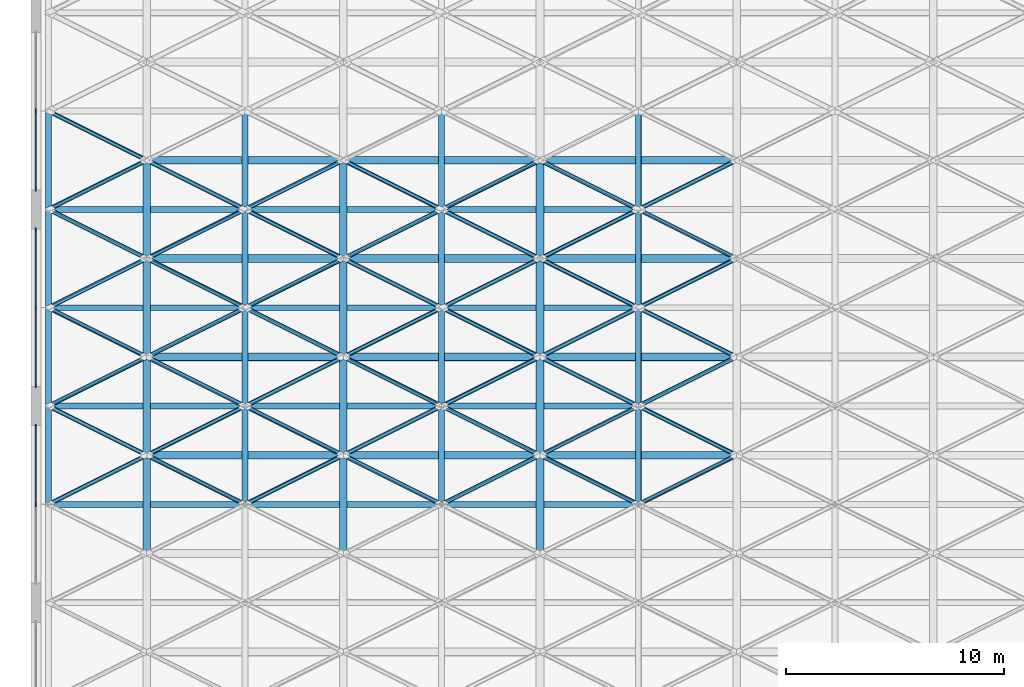
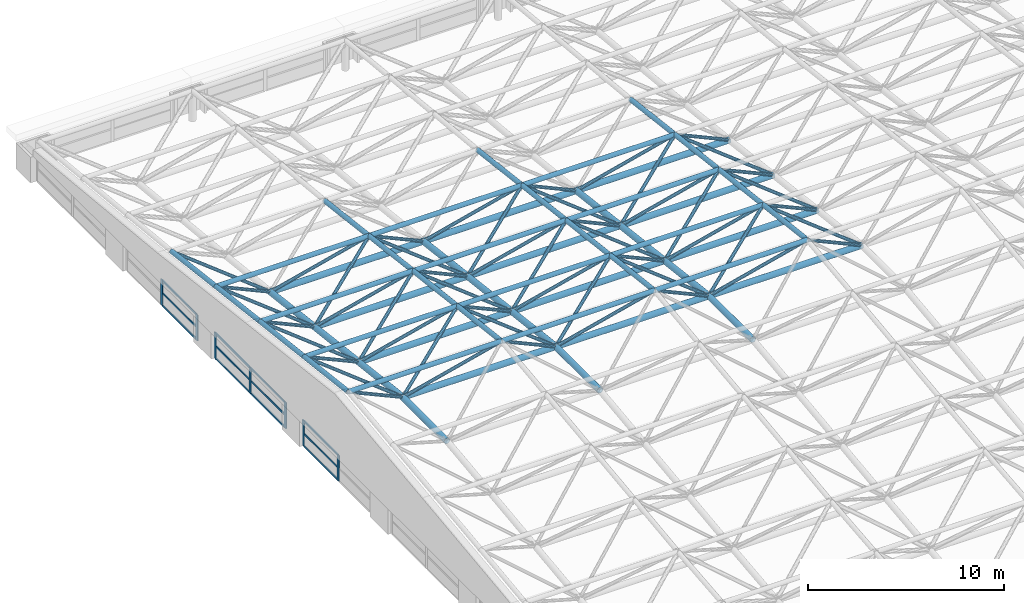
# One storey, part 8 of 53: 121 members, 3 elements without a shape of their own.
"""IFC4 building model written with IfcOpenShell, lengths in metres."""

import ifcopenshell
import ifcopenshell.guid

model = None  # the IFC model being written
_history = None  # IfcOwnerHistory: only IFC2X3 demands one
_inside = {}  # id of a spatial element -> (the spatial element, [elements in it])
_under = {}  # id of a project, library or spatial element -> (it, [spatial elements below it])
_declared = {}  # id of a project -> (the project, [libraries it declares])
_typed = {}  # id of a type object -> (the type object, [elements of that type])
_made_of = {}  # id of a material, layer set ... -> (it, [elements and type objects made of it])


def new_model(schema):
    """Start an empty IFC model of exactly this schema.

    Asked for "IFC4X3", IfcOpenShell would pick the latest addendum, in which some entities
    have other attributes; the version numbers below select the first issue.
    IFC2X3 requires an IfcOwnerHistory on every rooted entity: one is made here for all.
    """
    global model, _history
    if schema == "IFC4X3":
        model = ifcopenshell.file(schema_version=(4, 3, 0, 0))
    else:
        model = ifcopenshell.file(schema=schema)
    _inside.clear()
    _under.clear()
    _declared.clear()
    _typed.clear()
    _made_of.clear()
    _history = None
    if model.schema == "IFC2X3":
        org = make("IfcOrganization", Name="unknown")
        user = make(
            "IfcPersonAndOrganization",
            ThePerson=make("IfcPerson", FamilyName="unknown"),
            TheOrganization=org,
        )
        app = make(
            "IfcApplication",
            ApplicationDeveloper=org,
            Version="unknown",
            ApplicationFullName="unknown",
            ApplicationIdentifier="unknown",
        )
        _history = make(
            "IfcOwnerHistory",
            OwningUser=user,
            OwningApplication=app,
            ChangeAction="ADDED",
            CreationDate=0,
        )
    return model


def make(cls, **values):
    """One entity of the class cls with the attributes given. An attribute that is None is left unset."""
    return model.create_entity(
        cls, **{name: value for name, value in values.items() if value is not None}
    )


def rooted(cls, **values):
    """An entity with a GlobalId (a new one), such as an element, a storey or a relation."""
    return make(cls, GlobalId=ifcopenshell.guid.new(), OwnerHistory=_history, **values)


def si_unit(unit_type, name, prefix=None):
    """IfcSIUnit, for example si_unit("LENGTHUNIT", "METRE", prefix="MILLI")."""
    return make("IfcSIUnit", UnitType=unit_type, Prefix=prefix, Name=name)


def assignment(units):
    """IfcUnitAssignment: the units of a project."""
    return None if units is None else make("IfcUnitAssignment", Units=units)


def point(xyz):
    """IfcCartesianPoint."""
    return None if xyz is None else make("IfcCartesianPoint", Coordinates=xyz)


def direction(xyz):
    """IfcDirection."""
    return None if xyz is None else make("IfcDirection", DirectionRatios=xyz)


def frame(location, z_axis=None, x_axis=None):
    """IfcAxis2Placement3D, a coordinate frame: its origin and axes. An axis left out is left unset."""
    return make(
        "IfcAxis2Placement3D",
        Location=point(location),
        Axis=direction(z_axis),
        RefDirection=direction(x_axis),
    )


def frame_2d(location, x_axis=None):
    """IfcAxis2Placement2D, a coordinate frame in the plane: its origin and x axis."""
    return make(
        "IfcAxis2Placement2D", Location=point(location), RefDirection=direction(x_axis)
    )


def origin():
    """The frame at (0, 0, 0) with its axes left unset."""
    return frame((0.0, 0.0, 0.0))


def origin_2d():
    """The frame at (0, 0) in the plane with its x axis left unset."""
    return frame_2d((0.0, 0.0))


def place(relative_to, where):
    """IfcLocalPlacement: puts the frame where relative to a parent placement (None: the world)."""
    return make(
        "IfcLocalPlacement", PlacementRelTo=relative_to, RelativePlacement=where
    )


def context(
    kind, dimensions, precision=None, world=None, true_north=None, identifier=None
):
    """IfcGeometricRepresentationContext, for example the 3D "Model" context."""
    return make(
        "IfcGeometricRepresentationContext",
        ContextIdentifier=identifier,
        ContextType=kind,
        CoordinateSpaceDimension=dimensions,
        Precision=precision,
        WorldCoordinateSystem=world,
        TrueNorth=true_north,
    )


def subcontext(parent, identifier, kind, view, scale=None):
    """IfcGeometricRepresentationSubContext, for example "Body" below "Model"."""
    return make(
        "IfcGeometricRepresentationSubContext",
        ContextIdentifier=identifier,
        ContextType=kind,
        ParentContext=parent,
        TargetScale=scale,
        TargetView=view,
    )


def project(units=None, contexts=None):
    """IfcProject with its units and contexts."""
    return rooted(
        "IfcProject",
        Name="project",
        RepresentationContexts=contexts,
        UnitsInContext=assignment(units),
    )


def spatial(cls, under=None, at=None, **own):
    """A site, building, storey or space (cls), placed at a placement, below another one or the project."""
    s = rooted(cls, ObjectPlacement=at, **own)
    if under is not None:
        _under.setdefault(under.id(), (under, []))[1].append(s)
    return s


def profile(cls, at=None, kind="AREA", **sizes):
    """A parametric profile (cls). Its sizes go by their IFC names, for example OverallWidth=200.0."""
    return make(cls, ProfileType=kind, Position=at, **sizes)


def rectangle(**sizes):
    """IfcRectangleProfileDef."""
    return profile("IfcRectangleProfileDef", **sizes)


def hollow_circle(**sizes):
    """IfcCircleHollowProfileDef."""
    return profile("IfcCircleHollowProfileDef", **sizes)


def extrude(swept, where, along, depth):
    """IfcExtrudedAreaSolid: the profile swept, set in the frame where, extruded along a direction by depth."""
    return make(
        "IfcExtrudedAreaSolid",
        SweptArea=swept,
        Position=where,
        ExtrudedDirection=direction(along),
        Depth=depth,
    )


def shape(context_of_items, identifier, shape_type, items):
    """IfcShapeRepresentation: the items that make up one representation, for example the "Body"."""
    return make(
        "IfcShapeRepresentation",
        ContextOfItems=context_of_items,
        RepresentationIdentifier=identifier,
        RepresentationType=shape_type,
        Items=items,
    )


def material(Name=None, Category=None):
    """IfcMaterial."""
    return make("IfcMaterial", Name=Name, Category=Category)


def material_profile(
    of_material, cross_section, Name=None, Category=None, Priority=None
):
    """IfcMaterialProfile: a cross section and its material."""
    return make(
        "IfcMaterialProfile",
        Name=Name,
        Material=of_material,
        Profile=cross_section,
        Priority=Priority,
        Category=Category,
    )


def profile_set(profiles, Name=None, composite=None):
    """IfcMaterialProfileSet."""
    return make(
        "IfcMaterialProfileSet",
        Name=Name,
        MaterialProfiles=profiles,
        CompositeProfile=composite,
    )


def made_of(thing, what):
    """Note that an element or type object is made of a material, layer set ...; save() writes the relation."""
    if what is not None:
        _made_of.setdefault(what.id(), (what, []))[1].append(thing)
    return thing


def type_object(cls, material=None, **own):
    """A type object (cls), such as IfcWallType, which elements share."""
    return made_of(rooted(cls, **own), material)


def element(
    cls,
    number,
    at=None,
    inside=None,
    cuts=None,
    type_object=None,
    material=None,
    context=None,
    identifier="Body",
    shape_type=None,
    held_by="IfcProductDefinitionShape",
    body=None,
    shapes=None,
    **own,
):
    """One element of the class cls, such as IfcWall. Its Tag is "e" and its number.

    at: its placement. inside: the storey or other place that contains it. cuts: it is an
    opening in that element (IfcRelVoidsElement). A single representation is given by context,
    identifier, shape_type and body (its items); several are given by shapes. held_by: the class
    of the entity that holds the representations. save() writes the other relations.
    """
    e = rooted(cls, Tag="e%d" % number, ObjectPlacement=at, **own)
    if body is not None:
        shapes = [shape(context, identifier, shape_type, body)]
    if shapes is not None:
        e.Representation = make(held_by, Representations=shapes)
    if inside is not None:
        _inside.setdefault(inside.id(), (inside, []))[1].append(e)
    if cuts is not None:
        rooted(
            "IfcRelVoidsElement", RelatingBuildingElement=cuts, RelatedOpeningElement=e
        )
    if type_object is not None:
        _typed.setdefault(type_object.id(), (type_object, []))[1].append(e)
    return made_of(e, material)


def aggregate(whole, parts):
    """IfcRelAggregates: a whole, such as a stair, and the parts it consists of."""
    return rooted("IfcRelAggregates", RelatingObject=whole, RelatedObjects=parts)


def save(model, path):
    """Write the relations noted so far, then the file.

    IfcRelAggregates (storeys below a building ...), IfcRelContainedInSpatialStructure (elements
    in a storey), IfcRelDefinesByType, IfcRelAssociatesMaterial and IfcRelDeclares: one each for
    every whole, place, type object, material and project.
    """
    for whole, parts in _under.values():
        aggregate(whole, parts)
    for where, things in _inside.values():
        rooted(
            "IfcRelContainedInSpatialStructure",
            RelatedElements=things,
            RelatingStructure=where,
        )
    for kind, things in _typed.values():
        rooted("IfcRelDefinesByType", RelatedObjects=things, RelatingType=kind)
    for what, things in _made_of.values():
        rooted("IfcRelAssociatesMaterial", RelatedObjects=things, RelatingMaterial=what)
    for by, libraries in _declared.values():
        rooted("IfcRelDeclares", RelatingContext=by, RelatedDefinitions=libraries)
    model.write(path)


model = new_model("IFC4")

# Units and contexts
model_context = context("Model", 3, precision=1e-05, world=origin(), true_north=direction((0.0, 1.0)))
body_context = subcontext(model_context, "Body", "Model", "MODEL_VIEW")
ifc_project = project(units=[si_unit("LENGTHUNIT", "METRE"), si_unit("AREAUNIT", "SQUARE_METRE"), si_unit("VOLUMEUNIT", "CUBIC_METRE"), si_unit("PLANEANGLEUNIT", "RADIAN"), si_unit("MASSUNIT", "GRAM", prefix="KILO")], contexts=[model_context])

# Site, building, storey
site_placement = place(None, origin())
site = spatial("IfcSite", under=ifc_project, at=site_placement, CompositionType="ELEMENT")
building_placement = place(site_placement, origin())
building = spatial("IfcBuilding", under=site, at=building_placement, Name="Aravalli Gate Trade Fair Centre", CompositionType="ELEMENT")
storey_placement = place(building_placement, frame((0.0, 0.0, 25.199951171875)))
storey = spatial("IfcBuildingStorey", under=building, at=storey_placement, Name="ROOF LEVEL 2", CompositionType="ELEMENT", Elevation=25.199951171875)

# Members
ifc_material_1 = material(Name="Steel E350", Category="steel")
ifc_material_profile_1 = material_profile(ifc_material_1, hollow_circle(Radius=0.096923828125, WallThickness=0.00634765625, at=origin_2d()), Name="CHS 193.7x6.3")
ifc_profile_set_1 = profile_set([ifc_material_profile_1], Name="Steel E350")
member_type_1 = type_object("IfcMemberType", Name="CHS 193.7x6.3", PredefinedType="BRACE", material=ifc_profile_set_1)
for number, where, z_axis, x_axis, name in (
    (1, (6.0, 77.5, 5.330078125), (0.74994242606, 0.37497121303, -0.544961417895), (-0.4472135955, 0.894427191, 0.0), "Space frame web diagonal D4A"),
    (2, (15.0, 77.5, 5.330078125), (0.74994242606, 0.37497121303, -0.544961417895), (-0.4472135955, 0.894427191, 0.0), "Space frame web diagonal D4A"),
    (3, (24.0, 77.5, 5.330078125), (0.74994242606, 0.37497121303, -0.544961417895), (-0.4472135955, 0.894427191, 0.0), "Space frame web diagonal D4A"),
    (4, (33.0, 77.5, 5.330078125), (0.74994242606, 0.37497121303, -0.544961417895), (-0.4472135955, 0.894427191, 0.0), "Space frame web diagonal D4A"),
    (5, (6.0, 82.0, 4.7900390625), (0.74994242606, 0.37497121303, -0.544961417895), (-0.4472135955, 0.894427191, 0.0), "Space frame web diagonal D4A"),
    (6, (15.0, 82.0, 4.7900390625), (0.74994242606, 0.37497121303, -0.544961417895), (-0.4472135955, 0.894427191, 0.0), "Space frame web diagonal D4A"),
    (7, (24.0, 82.0, 4.7900390625), (0.74994242606, 0.37497121303, -0.544961417895), (-0.4472135955, 0.894427191, 0.0), "Space frame web diagonal D4A"),
    (8, (33.0, 82.0, 4.7900390625), (0.74994242606, 0.37497121303, -0.544961417895), (-0.4472135955, 0.894427191, 0.0), "Space frame web diagonal D4A"),
    (9, (15.0, 77.5, 5.330078125), (-0.74994242606, 0.37497121303, -0.544961417895), (-0.4472135955, -0.894427191, 0.0), "Space frame web diagonal D4B"),
    (10, (24.0, 77.5, 5.330078125), (-0.74994242606, 0.37497121303, -0.544961417895), (-0.4472135955, -0.894427191, 0.0), "Space frame web diagonal D4B"),
    (11, (33.0, 77.5, 5.330078125), (-0.74994242606, 0.37497121303, -0.544961417895), (-0.4472135955, -0.894427191, 0.0), "Space frame web diagonal D4B"),
    (12, (15.0, 82.0, 4.7900390625), (-0.74994242606, 0.37497121303, -0.544961417895), (-0.4472135955, -0.894427191, 0.0), "Space frame web diagonal D4B"),
    (13, (24.0, 82.0, 4.7900390625), (-0.74994242606, 0.37497121303, -0.544961417895), (-0.4472135955, -0.894427191, 0.0), "Space frame web diagonal D4B"),
    (14, (33.0, 82.0, 4.7900390625), (-0.74994242606, 0.37497121303, -0.544961417895), (-0.4472135955, -0.894427191, 0.0), "Space frame web diagonal D4B"),
):
    element("IfcMember", number, at=place(storey_placement, frame(where, z_axis=z_axis, x_axis=x_axis)), inside=storey, type_object=member_type_1, Name=name, PredefinedType="BRACE", context=body_context, shape_type="SweptSolid", body=[
        extrude(hollow_circle(Radius=0.096923828125, WallThickness=0.00634765625, at=origin_2d()), origin(), (0.0, 0.0, 1.0), 6.00048828125),
    ])
for number, where, z_axis, x_axis, name in (
    (15, (6.0, 82.0, 4.7900390625), (0.786150117051, -0.393075058526, -0.476927658901), (0.4472135955, 0.894427191, 0.0), "Space frame web diagonal D4C"),
    (16, (15.0, 82.0, 4.7900390625), (0.786150117051, -0.393075058526, -0.476927658901), (0.4472135955, 0.894427191, 0.0), "Space frame web diagonal D4C"),
    (17, (24.0, 82.0, 4.7900390625), (0.786150117051, -0.393075058526, -0.476927658901), (0.4472135955, 0.894427191, 0.0), "Space frame web diagonal D4C"),
    (18, (33.0, 82.0, 4.7900390625), (0.786150117051, -0.393075058526, -0.476927658901), (0.4472135955, 0.894427191, 0.0), "Space frame web diagonal D4C"),
    (19, (6.0, 86.5, 4.25), (0.786150117051, -0.393075058526, -0.476927658901), (0.4472135955, 0.894427191, 0.0), "Space frame web diagonal D4C"),
    (20, (15.0, 86.5, 4.25), (0.786150117051, -0.393075058526, -0.476927658901), (0.4472135955, 0.894427191, 0.0), "Space frame web diagonal D4C"),
    (21, (24.0, 86.5, 4.25), (0.786150117051, -0.393075058526, -0.476927658901), (0.4472135955, 0.894427191, 0.0), "Space frame web diagonal D4C"),
    (22, (33.0, 86.5, 4.25), (0.786150117051, -0.393075058526, -0.476927658901), (0.4472135955, 0.894427191, 0.0), "Space frame web diagonal D4C"),
    (23, (15.0, 82.0, 4.7900390625), (-0.786150117051, -0.393075058526, -0.476927658901), (0.4472135955, -0.894427191, 0.0), "Space frame web diagonal D4D"),
    (24, (24.0, 82.0, 4.7900390625), (-0.786150117051, -0.393075058526, -0.476927658901), (0.4472135955, -0.894427191, 0.0), "Space frame web diagonal D4D"),
    (25, (33.0, 82.0, 4.7900390625), (-0.786150117051, -0.393075058526, -0.476927658901), (0.4472135955, -0.894427191, 0.0), "Space frame web diagonal D4D"),
    (26, (15.0, 86.5, 4.25), (-0.786150117051, -0.393075058526, -0.476927658901), (0.4472135955, -0.894427191, 0.0), "Space frame web diagonal D4D"),
    (27, (24.0, 86.5, 4.25), (-0.786150117051, -0.393075058526, -0.476927658901), (0.4472135955, -0.894427191, 0.0), "Space frame web diagonal D4D"),
    (28, (33.0, 86.5, 4.25), (-0.786150117051, -0.393075058526, -0.476927658901), (0.4472135955, -0.894427191, 0.0), "Space frame web diagonal D4D"),
):
    element("IfcMember", number, at=place(storey_placement, frame(where, z_axis=z_axis, x_axis=x_axis)), inside=storey, type_object=member_type_1, Name=name, PredefinedType="BRACE", context=body_context, shape_type="SweptSolid", body=[
        extrude(hollow_circle(Radius=0.096923828125, WallThickness=0.00634765625, at=origin_2d()), origin(), (0.0, 0.0, 1.0), 5.72412109375),
    ])
for number, where, z_axis, x_axis, name in (
    (29, (6.0, 86.5, 4.25), (0.749609832162, 0.374804916081, -0.545533110277), (-0.4472135955, 0.894427191, 0.0), "Space frame web diagonal D5A"),
    (30, (15.0, 86.5, 4.25), (0.749609832162, 0.374804916081, -0.545533110277), (-0.4472135955, 0.894427191, 0.0), "Space frame web diagonal D5A"),
    (31, (24.0, 86.5, 4.25), (0.749609832162, 0.374804916081, -0.545533110277), (-0.4472135955, 0.894427191, 0.0), "Space frame web diagonal D5A"),
    (32, (33.0, 86.5, 4.25), (0.749609832162, 0.374804916081, -0.545533110277), (-0.4472135955, 0.894427191, 0.0), "Space frame web diagonal D5A"),
    (33, (6.0, 91.0, 3.699951171875), (0.749609832162, 0.374804916081, -0.545533110277), (-0.4472135955, 0.894427191, 0.0), "Space frame web diagonal D5A"),
    (34, (15.0, 91.0, 3.699951171875), (0.749609832162, 0.374804916081, -0.545533110277), (-0.4472135955, 0.894427191, 0.0), "Space frame web diagonal D5A"),
    (35, (24.0, 91.0, 3.699951171875), (0.749609832162, 0.374804916081, -0.545533110277), (-0.4472135955, 0.894427191, 0.0), "Space frame web diagonal D5A"),
    (36, (33.0, 91.0, 3.699951171875), (0.749609832162, 0.374804916081, -0.545533110277), (-0.4472135955, 0.894427191, 0.0), "Space frame web diagonal D5A"),
    (37, (15.0, 86.5, 4.25), (-0.749609832162, 0.374804916081, -0.545533110277), (-0.4472135955, -0.894427191, 0.0), "Space frame web diagonal D5B"),
    (38, (24.0, 86.5, 4.25), (-0.749609832162, 0.374804916081, -0.545533110277), (-0.4472135955, -0.894427191, 0.0), "Space frame web diagonal D5B"),
    (39, (33.0, 86.5, 4.25), (-0.749609832162, 0.374804916081, -0.545533110277), (-0.4472135955, -0.894427191, 0.0), "Space frame web diagonal D5B"),
    (40, (15.0, 91.0, 3.699951171875), (-0.749609832162, 0.374804916081, -0.545533110277), (-0.4472135955, -0.894427191, 0.0), "Space frame web diagonal D5B"),
    (41, (24.0, 91.0, 3.699951171875), (-0.749609832162, 0.374804916081, -0.545533110277), (-0.4472135955, -0.894427191, 0.0), "Space frame web diagonal D5B"),
    (42, (33.0, 91.0, 3.699951171875), (-0.749609832162, 0.374804916081, -0.545533110277), (-0.4472135955, -0.894427191, 0.0), "Space frame web diagonal D5B"),
):
    element("IfcMember", number, at=place(storey_placement, frame(where, z_axis=z_axis, x_axis=x_axis)), inside=storey, type_object=member_type_1, Name=name, PredefinedType="BRACE", context=body_context, shape_type="SweptSolid", body=[
        extrude(hollow_circle(Radius=0.096923828125, WallThickness=0.00634765625, at=origin_2d()), origin(), (0.0, 0.0, 1.0), 6.003173828125),
    ])
for number, where, z_axis, x_axis, name in (
    (43, (6.0, 91.0, 3.699951171875), (0.786485839543, -0.393242919772, -0.476235267749), (0.4472135955, 0.894427191, 0.0), "Space frame web diagonal D5C"),
    (44, (15.0, 91.0, 3.699951171875), (0.786485839543, -0.393242919772, -0.476235267749), (0.4472135955, 0.894427191, 0.0), "Space frame web diagonal D5C"),
    (45, (24.0, 91.0, 3.699951171875), (0.786485839543, -0.393242919772, -0.476235267749), (0.4472135955, 0.894427191, 0.0), "Space frame web diagonal D5C"),
    (46, (33.0, 91.0, 3.699951171875), (0.786485839543, -0.393242919772, -0.476235267749), (0.4472135955, 0.894427191, 0.0), "Space frame web diagonal D5C"),
    (47, (6.0, 95.5, 3.150146484375), (0.786469857322, -0.393234928661, -0.476268258867), (0.4472135955, 0.894427191, 0.0), "Space frame web diagonal D5C"),
    (48, (15.0, 91.0, 3.699951171875), (-0.786485839543, -0.393242919772, -0.476235267749), (0.4472135955, -0.894427191, 0.0), "Space frame web diagonal D5D"),
    (49, (24.0, 91.0, 3.699951171875), (-0.786485839543, -0.393242919772, -0.476235267749), (0.4472135955, -0.894427191, 0.0), "Space frame web diagonal D5D"),
    (50, (33.0, 91.0, 3.699951171875), (-0.786485839543, -0.393242919772, -0.476235267749), (0.4472135955, -0.894427191, 0.0), "Space frame web diagonal D5D"),
):
    element("IfcMember", number, at=place(storey_placement, frame(where, z_axis=z_axis, x_axis=x_axis)), inside=storey, type_object=member_type_1, Name=name, PredefinedType="BRACE", context=body_context, shape_type="SweptSolid", body=[
        extrude(hollow_circle(Radius=0.096923828125, WallThickness=0.00634765625, at=origin_2d()), origin(), (0.0, 0.0, 1.0), 5.7216796875),
    ])
ifc_material_profile_2 = material_profile(ifc_material_1, hollow_circle(Radius=0.136474609375, WallThickness=0.010009765625, at=origin_2d()), Name="CHS 273.1x10")
ifc_profile_set_2 = profile_set([ifc_material_profile_2], Name="Steel E350")
member_type_2 = type_object("IfcMemberType", Name="CHS 273.1x10", PredefinedType="CHORD", material=ifc_profile_set_2)
for number, where, z_axis, x_axis, name in (
    (51, (6.0, 77.5, 5.330078125), (1.0, 0.0, 0.0), (0.0, 1.0, 0.0), "Space frame top chord along the lines T4"),
    (52, (15.0, 77.5, 5.330078125), (1.0, 0.0, 0.0), (0.0, 1.0, 0.0), "Space frame top chord along the lines T4"),
    (53, (24.0, 77.5, 5.330078125), (1.0, 0.0, 0.0), (0.0, 1.0, 0.0), "Space frame top chord along the lines T4"),
    (54, (6.0, 82.0, 4.7900390625), (1.0, 0.0, 0.0), (0.0, 1.0, 0.0), "Space frame top chord along the lines T5"),
    (55, (15.0, 82.0, 4.7900390625), (1.0, 0.0, 0.0), (0.0, 1.0, 0.0), "Space frame top chord along the lines T5"),
    (56, (24.0, 82.0, 4.7900390625), (1.0, 0.0, 0.0), (0.0, 1.0, 0.0), "Space frame top chord along the lines T5"),
    (57, (6.0, 86.5, 4.25), (1.0, 0.0, 0.0), (0.0, 1.0, 0.0), "Space frame top chord along the lines T5"),
    (58, (15.0, 86.5, 4.25), (1.0, 0.0, 0.0), (0.0, 1.0, 0.0), "Space frame top chord along the lines T5"),
    (59, (24.0, 86.5, 4.25), (1.0, 0.0, 0.0), (0.0, 1.0, 0.0), "Space frame top chord along the lines T5"),
    (60, (6.0, 91.0, 3.699951171875), (1.0, 0.0, 0.0), (0.0, 1.0, 0.0), "Space frame top chord along the lines T6"),
    (61, (15.0, 91.0, 3.699951171875), (1.0, 0.0, 0.0), (0.0, 1.0, 0.0), "Space frame top chord along the lines T6"),
    (62, (24.0, 91.0, 3.699951171875), (1.0, 0.0, 0.0), (0.0, 1.0, 0.0), "Space frame top chord along the lines T6"),
):
    element("IfcMember", number, at=place(storey_placement, frame(where, z_axis=z_axis, x_axis=x_axis)), inside=storey, type_object=member_type_2, Name=name, PredefinedType="CHORD", context=body_context, shape_type="SweptSolid", body=[
        extrude(hollow_circle(Radius=0.136474609375, WallThickness=0.010009765625, at=origin_2d()), origin(), (0.0, 0.0, 1.0), 9.0),
    ])
for number, where, z_axis, x_axis, name in (
    (63, (15.0, 77.5, 5.330078125), (0.0, 0.992875818887, -0.11915371698), (-1.0, 0.0, 0.0), "Space frame top chord across the vault Y4"),
    (64, (15.0, 82.0, 4.7900390625), (0.0, 0.992875818887, -0.11915371698), (-1.0, 0.0, 0.0), "Space frame top chord across the vault Y4"),
    (65, (24.0, 77.5, 5.330078125), (0.0, 0.992875818887, -0.11915371698), (-1.0, 0.0, 0.0), "Space frame top chord across the vault Y4"),
    (66, (24.0, 82.0, 4.7900390625), (0.0, 0.992875818887, -0.11915371698), (-1.0, 0.0, 0.0), "Space frame top chord across the vault Y4"),
    (67, (33.0, 77.5, 5.330078125), (0.0, 0.992875818887, -0.11915371698), (-1.0, 0.0, 0.0), "Space frame top chord across the vault Y4"),
    (68, (33.0, 82.0, 4.7900390625), (0.0, 0.992875818887, -0.11915371698), (-1.0, 0.0, 0.0), "Space frame top chord across the vault Y4"),
):
    element("IfcMember", number, at=place(storey_placement, frame(where, z_axis=z_axis, x_axis=x_axis)), inside=storey, type_object=member_type_2, Name=name, PredefinedType="CHORD", context=body_context, shape_type="SweptSolid", body=[
        extrude(hollow_circle(Radius=0.136474609375, WallThickness=0.010009765625, at=origin_2d()), origin(), (0.0, 0.0, 1.0), 4.5322265625),
    ])
for number, where, z_axis, x_axis, name in (
    (69, (15.0, 86.5, 4.25), (0.0, 0.992612220818, -0.121330041965), (-1.0, 0.0, 0.0), "Space frame top chord across the vault Y5"),
    (70, (15.0, 91.0, 3.699951171875), (0.0, 0.992618705116, -0.12127698155), (-1.0, 0.0, 0.0), "Space frame top chord across the vault Y5"),
    (71, (24.0, 86.5, 4.25), (0.0, 0.992612220818, -0.121330041965), (-1.0, 0.0, 0.0), "Space frame top chord across the vault Y5"),
    (72, (24.0, 91.0, 3.699951171875), (0.0, 0.992618705116, -0.12127698155), (-1.0, 0.0, 0.0), "Space frame top chord across the vault Y5"),
    (73, (33.0, 86.5, 4.25), (0.0, 0.992612220818, -0.121330041965), (-1.0, 0.0, 0.0), "Space frame top chord across the vault Y5"),
    (74, (33.0, 91.0, 3.699951171875), (0.0, 0.992618705116, -0.12127698155), (-1.0, 0.0, 0.0), "Space frame top chord across the vault Y5"),
):
    element("IfcMember", number, at=place(storey_placement, frame(where, z_axis=z_axis, x_axis=x_axis)), inside=storey, type_object=member_type_2, Name=name, PredefinedType="CHORD", context=body_context, shape_type="SweptSolid", body=[
        extrude(hollow_circle(Radius=0.136474609375, WallThickness=0.010009765625, at=origin_2d()), origin(), (0.0, 0.0, 1.0), 4.533447265625),
    ])
ifc_material_profile_3 = material_profile(ifc_material_1, hollow_circle(Radius=0.136474609375, WallThickness=0.01611328125, at=origin_2d()), Name="CHS 273.1x16")
ifc_profile_set_3 = profile_set([ifc_material_profile_3], Name="Steel E350")
member_type_3 = type_object("IfcMemberType", Name="CHS 273.1x16", PredefinedType="CHORD", material=ifc_profile_set_3)
for number, where, z_axis, x_axis, name in (
    (75, (6.0, 77.5, 5.330078125), (0.0, 0.992875818887, -0.11915371698), (-1.0, 0.0, 0.0), "Space frame edge chord at the end lines YE4"),
    (76, (6.0, 82.0, 4.7900390625), (0.0, 0.992875818887, -0.11915371698), (-1.0, 0.0, 0.0), "Space frame edge chord at the end lines YE4"),
):
    element("IfcMember", number, at=place(storey_placement, frame(where, z_axis=z_axis, x_axis=x_axis)), inside=storey, type_object=member_type_3, Name=name, PredefinedType="CHORD", context=body_context, shape_type="SweptSolid", body=[
        extrude(hollow_circle(Radius=0.136474609375, WallThickness=0.01611328125, at=origin_2d()), origin(), (0.0, 0.0, 1.0), 4.5322265625),
    ])
for number, where, z_axis, x_axis, name in (
    (77, (6.0, 86.5, 4.25), (0.0, 0.992612220818, -0.121330041965), (-1.0, 0.0, 0.0), "Space frame edge chord at the end lines YE5"),
    (78, (6.0, 91.0, 3.699951171875), (0.0, 0.992618705116, -0.12127698155), (-1.0, 0.0, 0.0), "Space frame edge chord at the end lines YE5"),
):
    element("IfcMember", number, at=place(storey_placement, frame(where, z_axis=z_axis, x_axis=x_axis)), inside=storey, type_object=member_type_3, Name=name, PredefinedType="CHORD", context=body_context, shape_type="SweptSolid", body=[
        extrude(hollow_circle(Radius=0.136474609375, WallThickness=0.01611328125, at=origin_2d()), origin(), (0.0, 0.0, 1.0), 4.533447265625),
    ])
ifc_material_profile_4 = material_profile(ifc_material_1, hollow_circle(Radius=0.177734375, WallThickness=0.010009765625, at=origin_2d()), Name="CHS 355.6x10")
ifc_profile_set_4 = profile_set([ifc_material_profile_4], Name="Steel E350")
member_type_4 = type_object("IfcMemberType", Name="CHS 355.6x10", PredefinedType="CHORD", material=ifc_profile_set_4)
for number, where, z_axis, x_axis, name in (
    (79, (10.5, 79.75, 2.06005859375), (1.0, 0.0, 0.0), (0.0, 1.0, 0.0), "Space frame bottom chord along the lines B4"),
    (80, (19.5, 79.75, 2.06005859375), (1.0, 0.0, 0.0), (0.0, 1.0, 0.0), "Space frame bottom chord along the lines B4"),
    (81, (28.5, 79.75, 2.06005859375), (1.0, 0.0, 0.0), (0.0, 1.0, 0.0), "Space frame bottom chord along the lines B4"),
    (82, (10.5, 84.25, 1.52001953125), (1.0, 0.0, 0.0), (0.0, 1.0, 0.0), "Space frame bottom chord along the lines B4"),
    (83, (19.5, 84.25, 1.52001953125), (1.0, 0.0, 0.0), (0.0, 1.0, 0.0), "Space frame bottom chord along the lines B4"),
    (84, (28.5, 84.25, 1.52001953125), (1.0, 0.0, 0.0), (0.0, 1.0, 0.0), "Space frame bottom chord along the lines B4"),
    (85, (10.5, 88.75, 0.97509765625), (1.0, 0.0, 0.0), (0.0, 1.0, 0.0), "Space frame bottom chord along the lines B5"),
    (86, (19.5, 88.75, 0.97509765625), (1.0, 0.0, 0.0), (0.0, 1.0, 0.0), "Space frame bottom chord along the lines B5"),
    (87, (28.5, 88.75, 0.97509765625), (1.0, 0.0, 0.0), (0.0, 1.0, 0.0), "Space frame bottom chord along the lines B5"),
    (88, (10.5, 93.25, 0.425048828125), (1.0, 0.0, 0.0), (0.0, 1.0, 0.0), "Space frame bottom chord along the lines B5"),
    (89, (19.5, 93.25, 0.425048828125), (1.0, 0.0, 0.0), (0.0, 1.0, 0.0), "Space frame bottom chord along the lines B5"),
    (90, (28.5, 93.25, 0.425048828125), (1.0, 0.0, 0.0), (0.0, 1.0, 0.0), "Space frame bottom chord along the lines B5"),
):
    element("IfcMember", number, at=place(storey_placement, frame(where, z_axis=z_axis, x_axis=x_axis)), inside=storey, type_object=member_type_4, Name=name, PredefinedType="CHORD", context=body_context, shape_type="SweptSolid", body=[
        extrude(hollow_circle(Radius=0.177734375, WallThickness=0.010009765625, at=origin_2d()), origin(), (0.0, 0.0, 1.0), 9.0),
    ])
for number, where, z_axis, x_axis, name in (
    (91, (10.5, 75.25, 2.06005859375), (0.0, 1.0, 0.0), (-1.0, 0.0, 0.0), "Space frame bottom chord across the vault C6"),
    (92, (19.5, 75.25, 2.06005859375), (0.0, 1.0, 0.0), (-1.0, 0.0, 0.0), "Space frame bottom chord across the vault C6"),
    (93, (28.5, 75.25, 2.06005859375), (0.0, 1.0, 0.0), (-1.0, 0.0, 0.0), "Space frame bottom chord across the vault C6"),
):
    element("IfcMember", number, at=place(storey_placement, frame(where, z_axis=z_axis, x_axis=x_axis)), inside=storey, type_object=member_type_4, Name=name, PredefinedType="CHORD", context=body_context, shape_type="SweptSolid", body=[
        extrude(hollow_circle(Radius=0.177734375, WallThickness=0.010009765625, at=origin_2d()), origin(), (0.0, 0.0, 1.0), 4.5),
    ])
for number, where, z_axis, x_axis, name in (
    (94, (10.5, 79.75, 2.06005859375), (0.0, 0.992875818887, -0.11915371698), (-1.0, 0.0, 0.0), "Space frame bottom chord across the vault C7"),
    (95, (19.5, 79.75, 2.06005859375), (0.0, 0.992875818887, -0.11915371698), (-1.0, 0.0, 0.0), "Space frame bottom chord across the vault C7"),
    (96, (28.5, 79.75, 2.06005859375), (0.0, 0.992875818887, -0.11915371698), (-1.0, 0.0, 0.0), "Space frame bottom chord across the vault C7"),
):
    element("IfcMember", number, at=place(storey_placement, frame(where, z_axis=z_axis, x_axis=x_axis)), inside=storey, type_object=member_type_4, Name=name, PredefinedType="CHORD", context=body_context, shape_type="SweptSolid", body=[
        extrude(hollow_circle(Radius=0.177734375, WallThickness=0.010009765625, at=origin_2d()), origin(), (0.0, 0.0, 1.0), 4.5322265625),
    ])
for number, where, z_axis, x_axis, name in (
    (97, (10.5, 84.25, 1.52001953125), (0.0, 0.992747813002, -0.120215555481), (-1.0, 0.0, 0.0), "Space frame bottom chord across the vault C8"),
    (98, (19.5, 84.25, 1.52001953125), (0.0, 0.992747813002, -0.120215555481), (-1.0, 0.0, 0.0), "Space frame bottom chord across the vault C8"),
    (99, (28.5, 84.25, 1.52001953125), (0.0, 0.992747813002, -0.120215555481), (-1.0, 0.0, 0.0), "Space frame bottom chord across the vault C8"),
):
    element("IfcMember", number, at=place(storey_placement, frame(where, z_axis=z_axis, x_axis=x_axis)), inside=storey, type_object=member_type_4, Name=name, PredefinedType="CHORD", context=body_context, shape_type="SweptSolid", body=[
        extrude(hollow_circle(Radius=0.177734375, WallThickness=0.010009765625, at=origin_2d()), origin(), (0.0, 0.0, 1.0), 4.532958984375),
    ])
for number, where, z_axis, x_axis, name in (
    (100, (10.5, 88.75, 0.97509765625), (0.0, 0.992612220818, -0.121330041965), (-1.0, 0.0, 0.0), "Space frame bottom chord across the vault C9"),
    (101, (19.5, 88.75, 0.97509765625), (0.0, 0.992612220818, -0.121330041965), (-1.0, 0.0, 0.0), "Space frame bottom chord across the vault C9"),
    (102, (28.5, 88.75, 0.97509765625), (0.0, 0.992612220818, -0.121330041965), (-1.0, 0.0, 0.0), "Space frame bottom chord across the vault C9"),
):
    element("IfcMember", number, at=place(storey_placement, frame(where, z_axis=z_axis, x_axis=x_axis)), inside=storey, type_object=member_type_4, Name=name, PredefinedType="CHORD", context=body_context, shape_type="SweptSolid", body=[
        extrude(hollow_circle(Radius=0.177734375, WallThickness=0.010009765625, at=origin_2d()), origin(), (0.0, 0.0, 1.0), 4.533447265625),
    ])

# Curtain wall, members
ifc_material_2 = material(Name="Aluminium, glass and louvre", Category="aluminium")
curtain_wall_type = type_object("IfcCurtainWallType", Name="Hall crown curtain wall 3000 module", PredefinedType="NOTDEFINED", material=ifc_material_2)
curtain_wall_1_placement = place(storey_placement, origin())
curtain_wall_1 = element("IfcCurtainWall", 103, at=curtain_wall_1_placement, inside=storey, type_object=curtain_wall_type, Name="Hall west crown curtain wall 4 ROOF LEVEL 2", PredefinedType="NOTDEFINED")
ifc_material_3 = material(Name="Aluminium", Category="aluminium")
ifc_material_profile_5 = material_profile(ifc_material_3, rectangle(XDim=0.06005859375, YDim=0.199951171875, at=origin_2d()), Name="Hall curtain wall mullion 60 x 200")
ifc_profile_set_5 = profile_set([ifc_material_profile_5], Name="Aluminium")
member_type_5 = type_object("IfcMemberType", Name="Hall curtain wall mullion 60 x 200", PredefinedType="MULLION", material=ifc_profile_set_5)
member_1_placement = place(storey_placement, frame((5.425048828125, 77.5, 0.0), z_axis=(0.0, 0.0, 1.0), x_axis=(-1.0, 0.0, 0.0)))
member_1 = element("IfcMember", 104, at=member_1_placement, type_object=member_type_5, Name="HCW1 mullion 2", PredefinedType="MULLION", context=body_context, shape_type="SweptSolid", body=[
    extrude(rectangle(XDim=0.06005859375, YDim=0.199951171875, at=origin_2d()), origin(), (0.0, 0.0, 1.0), 1.60009765625),
])
member_2_placement = place(storey_placement, frame((5.425048828125, 81.070068359375, 0.0), z_axis=(0.0, 0.0, 1.0), x_axis=(-1.0, 0.0, 0.0)))
member_2 = element("IfcMember", 105, at=member_2_placement, type_object=member_type_5, Name="HCW1 mullion 3", PredefinedType="MULLION", context=body_context, shape_type="SweptSolid", body=[
    extrude(rectangle(XDim=0.06005859375, YDim=0.199951171875, at=origin_2d()), origin(), (0.0, 0.0, 1.0), 1.60009765625),
])

curtain_wall_2_placement = place(storey_placement, origin())
curtain_wall_2 = element("IfcCurtainWall", 106, at=curtain_wall_2_placement, inside=storey, type_object=curtain_wall_type, Name="Hall west crown curtain wall 5 ROOF LEVEL 2", PredefinedType="NOTDEFINED")
member_3_placement = place(storey_placement, frame((5.425048828125, 82.929931640625, 0.0), z_axis=(0.0, 0.0, 1.0), x_axis=(-1.0, 0.0, 0.0)))
member_3 = element("IfcMember", 107, at=member_3_placement, type_object=member_type_5, Name="HCW1 mullion 1", PredefinedType="MULLION", context=body_context, shape_type="SweptSolid", body=[
    extrude(rectangle(XDim=0.06005859375, YDim=0.199951171875, at=origin_2d()), origin(), (0.0, 0.0, 1.0), 1.60009765625),
])
member_4_placement = place(storey_placement, frame((5.425048828125, 86.5, 0.0), z_axis=(0.0, 0.0, 1.0), x_axis=(-1.0, 0.0, 0.0)))
member_4 = element("IfcMember", 108, at=member_4_placement, type_object=member_type_5, Name="HCW1 mullion 2", PredefinedType="MULLION", context=body_context, shape_type="SweptSolid", body=[
    extrude(rectangle(XDim=0.06005859375, YDim=0.199951171875, at=origin_2d()), origin(), (0.0, 0.0, 1.0), 1.60009765625),
])
member_5_placement = place(storey_placement, frame((5.425048828125, 90.070068359375, 0.0), z_axis=(0.0, 0.0, 1.0), x_axis=(-1.0, 0.0, 0.0)))
member_5 = element("IfcMember", 109, at=member_5_placement, type_object=member_type_5, Name="HCW1 mullion 3", PredefinedType="MULLION", context=body_context, shape_type="SweptSolid", body=[
    extrude(rectangle(XDim=0.06005859375, YDim=0.199951171875, at=origin_2d()), origin(), (0.0, 0.0, 1.0), 1.60009765625),
])

curtain_wall_3_placement = place(storey_placement, origin())
curtain_wall_3 = element("IfcCurtainWall", 110, at=curtain_wall_3_placement, inside=storey, type_object=curtain_wall_type, Name="Hall west crown curtain wall 6 ROOF LEVEL 2", PredefinedType="NOTDEFINED")
member_6_placement = place(storey_placement, frame((5.425048828125, 91.929931640625, 0.0), z_axis=(0.0, 0.0, 1.0), x_axis=(-1.0, 0.0, 0.0)))
member_6 = element("IfcMember", 111, at=member_6_placement, type_object=member_type_5, Name="HCW1 mullion 1", PredefinedType="MULLION", context=body_context, shape_type="SweptSolid", body=[
    extrude(rectangle(XDim=0.06005859375, YDim=0.199951171875, at=origin_2d()), origin(), (0.0, 0.0, 1.0), 1.60009765625),
])
member_7_placement = place(storey_placement, frame((5.425048828125, 95.5, 0.0), z_axis=(0.0, 0.0, 1.0), x_axis=(-1.0, 0.0, 0.0)))
member_7 = element("IfcMember", 112, at=member_7_placement, type_object=member_type_5, Name="HCW1 mullion 2", PredefinedType="MULLION", context=body_context, shape_type="SweptSolid", body=[
    extrude(rectangle(XDim=0.06005859375, YDim=0.199951171875, at=origin_2d()), origin(), (0.0, 0.0, 1.0), 1.60009765625),
])

# Member
ifc_material_profile_6 = material_profile(ifc_material_3, rectangle(XDim=0.06005859375, YDim=0.1201171875, at=origin_2d()), Name="Hall curtain wall transom 60 x 120")
ifc_profile_set_6 = profile_set([ifc_material_profile_6], Name="Aluminium")
member_type_6 = type_object("IfcMemberType", Name="Hall curtain wall transom 60 x 120", PredefinedType="USERDEFINED", material=ifc_profile_set_6)
member_8_placement = place(storey_placement, frame((5.425048828125, 77.530029296875, 0.030029296875), z_axis=(0.0, 1.0, 0.0), x_axis=(-1.0, 0.0, 0.0)))
member_8 = element("IfcMember", 113, at=member_8_placement, type_object=member_type_6, Name="HCW1 transom 2.1", ObjectType="TRANSOM", PredefinedType="USERDEFINED", context=body_context, shape_type="SweptSolid", body=[
    extrude(rectangle(XDim=0.06005859375, YDim=0.1201171875, at=origin_2d()), origin(), (0.0, 0.0, 1.0), 3.510009765625),
])

member_9_placement = place(storey_placement, frame((5.425048828125, 77.530029296875, 0.800048828125), z_axis=(0.0, 1.0, 0.0), x_axis=(-1.0, 0.0, 0.0)))
member_9 = element("IfcMember", 114, at=member_9_placement, type_object=member_type_6, Name="HCW1 transom 2.2", ObjectType="TRANSOM", PredefinedType="USERDEFINED", context=body_context, shape_type="SweptSolid", body=[
    extrude(rectangle(XDim=0.06005859375, YDim=0.1201171875, at=origin_2d()), origin(), (0.0, 0.0, 1.0), 3.510009765625),
])

member_10_placement = place(storey_placement, frame((5.425048828125, 77.530029296875, 1.570068359375), z_axis=(0.0, 1.0, 0.0), x_axis=(-1.0, 0.0, 0.0)))
member_10 = element("IfcMember", 115, at=member_10_placement, type_object=member_type_6, Name="HCW1 transom 2.3", ObjectType="TRANSOM", PredefinedType="USERDEFINED", context=body_context, shape_type="SweptSolid", body=[
    extrude(rectangle(XDim=0.06005859375, YDim=0.1201171875, at=origin_2d()), origin(), (0.0, 0.0, 1.0), 3.510009765625),
])

aggregate(curtain_wall_1, [member_1, member_2, member_8, member_9, member_10])

member_11_placement = place(storey_placement, frame((5.425048828125, 82.9599609375, 0.030029296875), z_axis=(0.0, 1.0, 0.0), x_axis=(-1.0, 0.0, 0.0)))
member_11 = element("IfcMember", 116, at=member_11_placement, type_object=member_type_6, Name="HCW1 transom 1.1", ObjectType="TRANSOM", PredefinedType="USERDEFINED", context=body_context, shape_type="SweptSolid", body=[
    extrude(rectangle(XDim=0.06005859375, YDim=0.1201171875, at=origin_2d()), origin(), (0.0, 0.0, 1.0), 3.510009765625),
])

member_12_placement = place(storey_placement, frame((5.425048828125, 82.9599609375, 0.800048828125), z_axis=(0.0, 1.0, 0.0), x_axis=(-1.0, 0.0, 0.0)))
member_12 = element("IfcMember", 117, at=member_12_placement, type_object=member_type_6, Name="HCW1 transom 1.2", ObjectType="TRANSOM", PredefinedType="USERDEFINED", context=body_context, shape_type="SweptSolid", body=[
    extrude(rectangle(XDim=0.06005859375, YDim=0.1201171875, at=origin_2d()), origin(), (0.0, 0.0, 1.0), 3.510009765625),
])

member_13_placement = place(storey_placement, frame((5.425048828125, 82.9599609375, 1.570068359375), z_axis=(0.0, 1.0, 0.0), x_axis=(-1.0, 0.0, 0.0)))
member_13 = element("IfcMember", 118, at=member_13_placement, type_object=member_type_6, Name="HCW1 transom 1.3", ObjectType="TRANSOM", PredefinedType="USERDEFINED", context=body_context, shape_type="SweptSolid", body=[
    extrude(rectangle(XDim=0.06005859375, YDim=0.1201171875, at=origin_2d()), origin(), (0.0, 0.0, 1.0), 3.510009765625),
])

member_14_placement = place(storey_placement, frame((5.425048828125, 86.530029296875, 0.030029296875), z_axis=(0.0, 1.0, 0.0), x_axis=(-1.0, 0.0, 0.0)))
member_14 = element("IfcMember", 119, at=member_14_placement, type_object=member_type_6, Name="HCW1 transom 2.1", ObjectType="TRANSOM", PredefinedType="USERDEFINED", context=body_context, shape_type="SweptSolid", body=[
    extrude(rectangle(XDim=0.06005859375, YDim=0.1201171875, at=origin_2d()), origin(), (0.0, 0.0, 1.0), 3.510009765625),
])

member_15_placement = place(storey_placement, frame((5.425048828125, 86.530029296875, 0.800048828125), z_axis=(0.0, 1.0, 0.0), x_axis=(-1.0, 0.0, 0.0)))
member_15 = element("IfcMember", 120, at=member_15_placement, type_object=member_type_6, Name="HCW1 transom 2.2", ObjectType="TRANSOM", PredefinedType="USERDEFINED", context=body_context, shape_type="SweptSolid", body=[
    extrude(rectangle(XDim=0.06005859375, YDim=0.1201171875, at=origin_2d()), origin(), (0.0, 0.0, 1.0), 3.510009765625),
])

member_16_placement = place(storey_placement, frame((5.425048828125, 86.530029296875, 1.570068359375), z_axis=(0.0, 1.0, 0.0), x_axis=(-1.0, 0.0, 0.0)))
member_16 = element("IfcMember", 121, at=member_16_placement, type_object=member_type_6, Name="HCW1 transom 2.3", ObjectType="TRANSOM", PredefinedType="USERDEFINED", context=body_context, shape_type="SweptSolid", body=[
    extrude(rectangle(XDim=0.06005859375, YDim=0.1201171875, at=origin_2d()), origin(), (0.0, 0.0, 1.0), 3.510009765625),
])

aggregate(curtain_wall_2, [member_3, member_4, member_5, member_11, member_12, member_13, member_14, member_15, member_16])

member_17_placement = place(storey_placement, frame((5.425048828125, 91.9599609375, 0.030029296875), z_axis=(0.0, 1.0, 0.0), x_axis=(-1.0, 0.0, 0.0)))
member_17 = element("IfcMember", 122, at=member_17_placement, type_object=member_type_6, Name="HCW1 transom 1.1", ObjectType="TRANSOM", PredefinedType="USERDEFINED", context=body_context, shape_type="SweptSolid", body=[
    extrude(rectangle(XDim=0.06005859375, YDim=0.1201171875, at=origin_2d()), origin(), (0.0, 0.0, 1.0), 3.510009765625),
])

member_18_placement = place(storey_placement, frame((5.425048828125, 91.9599609375, 0.800048828125), z_axis=(0.0, 1.0, 0.0), x_axis=(-1.0, 0.0, 0.0)))
member_18 = element("IfcMember", 123, at=member_18_placement, type_object=member_type_6, Name="HCW1 transom 1.2", ObjectType="TRANSOM", PredefinedType="USERDEFINED", context=body_context, shape_type="SweptSolid", body=[
    extrude(rectangle(XDim=0.06005859375, YDim=0.1201171875, at=origin_2d()), origin(), (0.0, 0.0, 1.0), 3.510009765625),
])

member_19_placement = place(storey_placement, frame((5.425048828125, 91.9599609375, 1.570068359375), z_axis=(0.0, 1.0, 0.0), x_axis=(-1.0, 0.0, 0.0)))
member_19 = element("IfcMember", 124, at=member_19_placement, type_object=member_type_6, Name="HCW1 transom 1.3", ObjectType="TRANSOM", PredefinedType="USERDEFINED", context=body_context, shape_type="SweptSolid", body=[
    extrude(rectangle(XDim=0.06005859375, YDim=0.1201171875, at=origin_2d()), origin(), (0.0, 0.0, 1.0), 3.510009765625),
])

aggregate(curtain_wall_3, [member_6, member_7, member_17, member_18, member_19])

save(model, "model.ifc")
